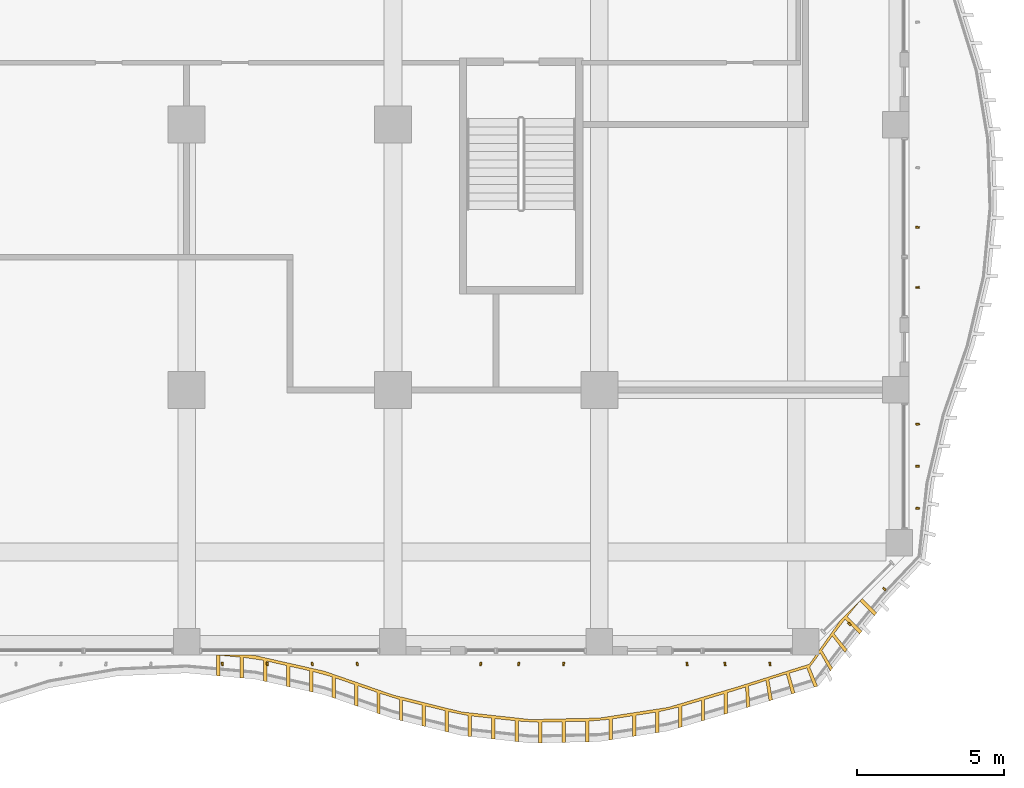
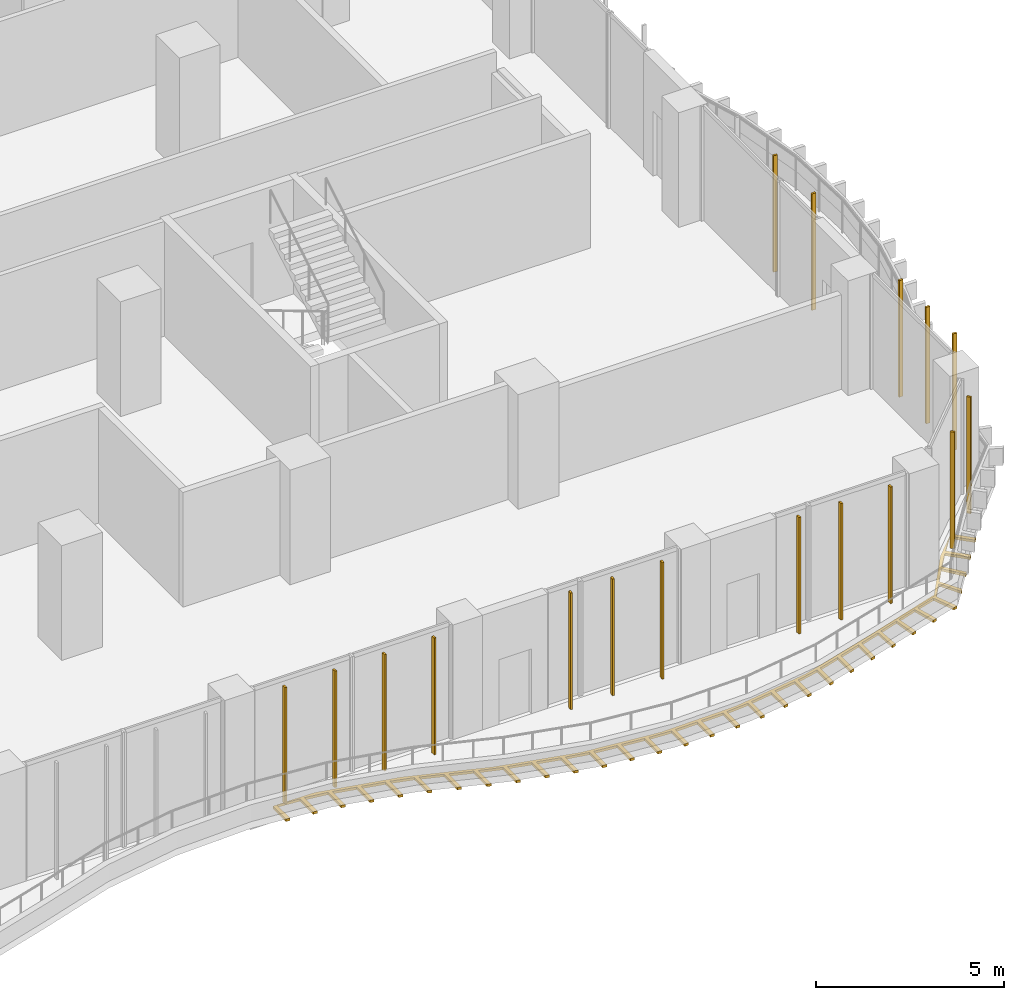
# One storey, part 20 of 25: 18 shading devices.
"""IFC4 building model written with IfcOpenShell, lengths in metres."""

from ifc_helpers import new_model, si_unit, direction, frame, origin, origin_2d, place, context, subcontext, project, spatial, polyline, rectangle, outline, extrude, source, transform, mapped, material, layer, layer_set, material_profile, profile_set, type_object, element, save


model = new_model("IFC4")

# Units and contexts
model_context = context("Model", 3, precision=1e-05, world=origin(), true_north=direction((0.0, 1.0)))
body_context = subcontext(model_context, "Body", "Model", "MODEL_VIEW")
ifc_project = project(units=[si_unit("LENGTHUNIT", "METRE"), si_unit("AREAUNIT", "SQUARE_METRE"), si_unit("VOLUMEUNIT", "CUBIC_METRE"), si_unit("PLANEANGLEUNIT", "RADIAN"), si_unit("MASSUNIT", "GRAM", prefix="KILO")], contexts=[model_context])

# Site, building, storey
site_placement = place(None, origin())
site = spatial("IfcSite", under=ifc_project, at=site_placement, CompositionType="ELEMENT")
building_placement = place(site_placement, origin())
building = spatial("IfcBuilding", under=site, at=building_placement, Name="Kilnfold Tower and Market Hall", CompositionType="ELEMENT")
storey_placement = place(building_placement, frame((0.0, 0.0, 67.199951171875)))
storey = spatial("IfcBuildingStorey", under=building, at=storey_placement, Name="L15", CompositionType="ELEMENT", Elevation=67.199951171875)

# Shading devices
ifc_material_1 = material(Name="Terracotta", Category="masonry")
ifc_material_profile = material_profile(ifc_material_1, rectangle(XDim=0.06005859375, YDim=0.1201171875, at=origin_2d()), Name="BAG 60x120")
ifc_profile_set = profile_set([ifc_material_profile], Name="Terracotta")
shading_device_type_1 = type_object("IfcShadingDeviceType", Name="BAGUETTE", PredefinedType="USERDEFINED", material=ifc_profile_set)
shared_shape_1 = source(origin(), body_context, "Body", "SweptSolid", [
    extrude(rectangle(XDim=0.06005859375, YDim=0.1201171875, at=origin_2d()), origin(), (0.0, 0.0, 1.0), 3.780029296875),
])
for number, where, z_axis, x_axis, name in (
    (1, (9.71240234375, -28.300048828125, 0.0), (0.0, 0.0, 1.0), (0.999709663008, 0.02409542878, 0.0), "Terracotta baguette L15 S"),
    (2, (11.237548828125, -28.300048828125, 0.0), (0.0, 0.0, 1.0), (0.994427170793, 0.105425812728, 0.0), "Terracotta baguette L15 S"),
    (3, (12.762451171875, -28.300048828125, 0.0), (0.0, 0.0, 1.0), (0.990275840089, 0.139117793741, 0.0), "Terracotta baguette L15 S"),
    (4, (14.28759765625, -28.300048828125, 0.0), (0.0, 0.0, 1.0), (0.99388429697, 0.11042646529, 0.0), "Terracotta baguette L15 S"),
    (5, (18.47509765625, -28.300048828125, 0.0), (0.0, 0.0, 1.0), (0.993424820145, -0.114486360412, 0.0), "Terracotta baguette L15 S"),
    (6, (19.762451171875, -28.300048828125, 0.0), (0.0, 0.0, 1.0), (0.990275840089, -0.139117793741, 0.0), "Terracotta baguette L15 S"),
    (7, (21.28759765625, -28.300048828125, 0.0), (0.0, 0.0, 1.0), (0.99388429697, -0.11042646529, 0.0), "Terracotta baguette L15 S"),
    (8, (25.47509765625, -28.300048828125, 0.0), (0.0, 0.0, 1.0), (0.993424820145, 0.114486360412, 0.0), "Terracotta baguette L15 S"),
    (9, (26.762451171875, -28.300048828125, 0.0), (0.0, 0.0, 1.0), (0.990275840089, 0.139117793741, 0.0), "Terracotta baguette L15 S"),
    (10, (28.28759765625, -28.300048828125, 0.0), (0.0, 0.0, 1.0), (0.99388429697, 0.11042646529, 0.0), "Terracotta baguette L15 S"),
    (11, (30.98095703125, -26.943359375, 0.0), (0.0, 0.0, 1.0), (0.747429486532, 0.664341149307, 0.0), "Terracotta baguette L15 SE"),
    (12, (32.16845703125, -25.755859375, 0.0), (0.0, 0.0, 1.0), (0.792521735117, 0.609843667973, 0.0), "Terracotta baguette L15 SE"),
    (13, (33.300048828125, -23.018310546875, 0.0), (0.0, 0.0, 1.0), (0.081696721228, 0.996657235834, 0.0), "Terracotta baguette L15 E"),
    (14, (33.300048828125, -21.5908203125, 0.0), (0.0, 0.0, 1.0), (-0.002057741736, 0.999997882847, 0.0), "Terracotta baguette L15 E"),
    (15, (33.300048828125, -20.16357421875, 0.0), (0.0, 0.0, 1.0), (-0.084985655403, 0.996382174858, 0.0), "Terracotta baguette L15 E"),
    (16, (33.300048828125, -15.52490234375, 0.0), (0.0, 0.0, 1.0), (-0.05492055412, 0.998490727416, 0.0), "Terracotta baguette L15 E"),
    (17, (33.300048828125, -13.487548828125, 0.0), (0.0, 0.0, 1.0), (0.068102354784, 0.997678339583, 0.0), "Terracotta baguette L15 E"),
):
    element("IfcShadingDevice", number, at=place(storey_placement, frame(where, z_axis=z_axis, x_axis=x_axis)), inside=storey, type_object=shading_device_type_1, Name=name, ObjectType="BAGUETTE", PredefinedType="USERDEFINED", context=body_context, shape_type="MappedRepresentation", body=[
        mapped(shared_shape_1, transform((0.0, 0.0, 0.0))),
    ])
ifc_material_2 = material(Name="Bronze anodised aluminium", Category="aluminium")
ifc_layer = layer(ifc_material_2, 0.080078125)
ifc_layer_set = layer_set([ifc_layer], Name="Bronze anodised aluminium")
shading_device_type_2 = type_object("IfcShadingDeviceType", Name="BRONZE SLAT SOFFIT 80", PredefinedType="USERDEFINED", material=ifc_layer_set)
shared_shape_2 = source(origin(), body_context, "Body", "SweptSolid", [
    extrude(outline(polyline([(10.833251953125, -28.014404296875), (13.166748046875, -28.541259765625), (15.5, -29.349365234375), (17.833251953125, -29.9267578125), (20.166748046875, -30.18310546875), (22.5, -30.132080078125), (24.833251953125, -29.771240234375), (27.166748046875, -29.08056640625), (29.6259765625, -28.303955078125), (30.666015625, -26.833984375), (31.422607421875, -26.077392578125), (31.90966796875, -26.564697265625), (31.833984375, -26.65771484375), (31.339111328125, -26.162841796875), (30.910400390625, -26.690673828125), (31.405517578125, -27.185791015625), (31.329833984375, -27.27880859375), (30.834716796875, -26.783935546875), (30.4619140625, -27.270263671875), (30.906494140625, -27.81103515625), (30.831787109375, -27.905029296875), (30.39990234375, -27.3544921875), (30.052490234375, -27.8369140625), (30.41015625, -28.4384765625), (30.335693359375, -28.53271484375), (29.99169921875, -27.923095703125), (29.638671875, -28.40380859375), (29.904052734375, -29.051513671875), (29.789306640625, -29.086181640625), (29.5341796875, -28.434326171875), (28.9443359375, -28.61083984375), (29.138427734375, -29.283447265625), (29.0234375, -29.318115234375), (28.840576171875, -28.642578125), (28.253662109375, -28.825439453125), (28.372802734375, -29.51513671875), (28.2578125, -29.550048828125), (28.150146484375, -28.8583984375), (27.56396484375, -29.048583984375), (27.607177734375, -29.7470703125), (27.4921875, -29.781982421875), (27.46044921875, -29.08251953125), (26.8408203125, -29.277099609375), (26.8408203125, -29.97705078125), (26.7255859375, -30.010986328125), (26.7255859375, -29.31103515625), (26.07373046875, -29.504150390625), (26.07373046875, -30.2041015625), (25.95849609375, -30.238037109375), (25.95849609375, -29.5380859375), (25.306640625, -29.731201171875), (25.306640625, -30.43115234375), (25.19140625, -30.465087890625), (25.19140625, -29.76513671875), (24.530517578125, -29.918212890625), (24.530517578125, -30.6181640625), (24.411865234375, -30.636474609375), (24.411865234375, -29.9365234375), (23.739990234375, -30.040283203125), (23.739990234375, -30.740478515625), (23.621337890625, -30.7587890625), (23.621337890625, -30.05859375), (22.94921875, -30.16259765625), (22.94921875, -30.862548828125), (22.830810546875, -30.881103515625), (22.830810546875, -30.180908203125), (22.15478515625, -30.239501953125), (22.15478515625, -30.939697265625), (22.034912109375, -30.942138671875), (22.034912109375, -30.2421875), (21.35498046875, -30.257080078125), (21.35498046875, -30.95703125), (21.318359375, -30.9580078125), (21.23486328125, -30.959716796875), (21.23486328125, -30.259765625), (20.55517578125, -30.2744140625), (20.55517578125, -30.974609375), (20.43505859375, -30.97705078125), (20.43505859375, -30.277099609375), (19.7578125, -30.238037109375), (19.7578125, -30.93798828125), (19.638427734375, -30.925048828125), (19.638427734375, -30.22509765625), (18.96240234375, -30.15087890625), (18.96240234375, -30.850830078125), (18.84326171875, -30.837646484375), (18.84326171875, -30.1376953125), (18.167236328125, -30.0634765625), (18.167236328125, -30.763427734375), (18.0478515625, -30.75048828125), (18.0478515625, -30.05029296875), (17.3828125, -29.915283203125), (17.3828125, -30.615234375), (17.266357421875, -30.58642578125), (17.266357421875, -29.886474609375), (16.606201171875, -29.72314453125), (16.606201171875, -30.423095703125), (16.48974609375, -30.394287109375), (16.48974609375, -29.6943359375), (15.82958984375, -29.531005859375), (15.82958984375, -30.23095703125), (15.713134765625, -30.2021484375), (15.713134765625, -29.502197265625), (15.06494140625, -29.298583984375), (15.06494140625, -29.998779296875), (14.95166015625, -29.95947265625), (14.95166015625, -29.259521484375), (14.30908203125, -29.036865234375), (14.30908203125, -29.73681640625), (14.195556640625, -29.697509765625), (14.195556640625, -28.99755859375), (13.552978515625, -28.775146484375), (13.552978515625, -29.47509765625), (13.439697265625, -29.435791015625), (13.439697265625, -28.73583984375), (12.78515625, -28.55517578125), (12.78515625, -29.255126953125), (12.668212890625, -29.228759765625), (12.668212890625, -28.52880859375), (12.0048828125, -28.37890625), (12.0048828125, -29.078857421875), (11.8876953125, -29.052490234375), (11.8876953125, -28.3525390625), (11.224609375, -28.20263671875), (11.224609375, -28.902587890625), (11.107421875, -28.876220703125), (11.107421875, -28.17626953125), (10.435791015625, -28.07861328125), (10.435791015625, -28.77880859375), (10.31640625, -28.767822265625), (10.31640625, -28.06787109375), (9.63916015625, -28.007080078125), (9.63916015625, -28.707275390625), (9.51953125, -28.696533203125), (9.51953125, -28.0), (10.673828125, -28.0), (10.833251953125, -28.014404296875)])), origin(), (0.0, 0.0, 1.0), 0.080078125),
])
shading_device_placement = place(storey_placement, frame((0.0, 0.0, -0.300048828125)))
element("IfcShadingDevice", 18, at=shading_device_placement, inside=storey, type_object=shading_device_type_2, Name="Balcony soffit slats L15", ObjectType="SLAT", PredefinedType="USERDEFINED", context=body_context, shape_type="MappedRepresentation", body=[
    mapped(shared_shape_2, transform((0.0, 0.0, 0.0))),
])

save(model, "model.ifc")
